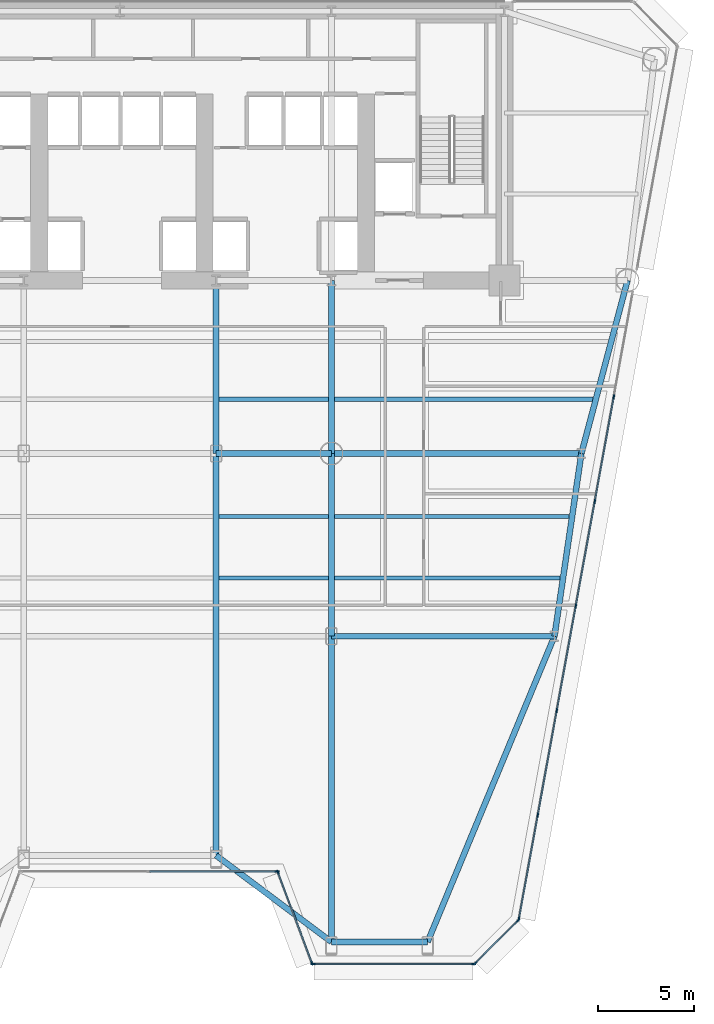
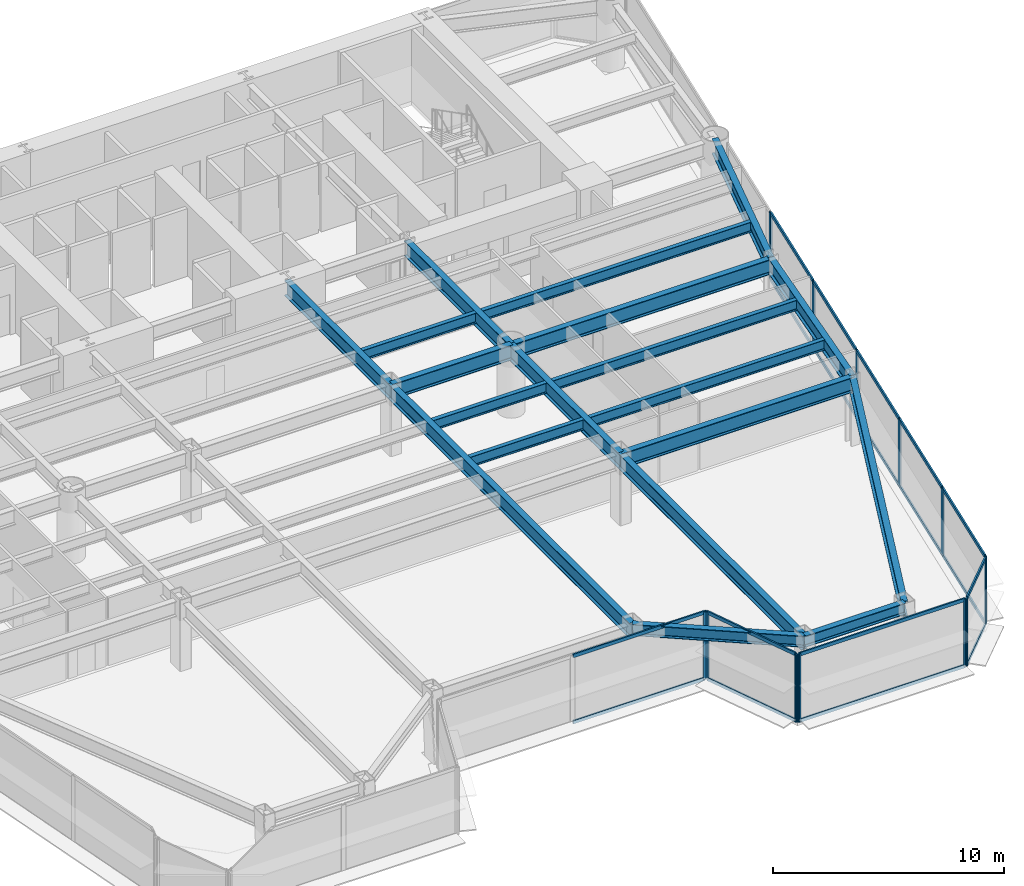
# One storey, part 4 of 14: 31 members, 19 beams, 5 elements without a shape of their own.
"""IFC4 building model written with IfcOpenShell, lengths in metres."""

from ifc_helpers import new_model, si_unit, direction, frame, origin, origin_2d, place, context, subcontext, project, spatial, rectangle, i_section, extrude, source, transform, mapped, material, layer, layer_set, material_profile, profile_set, type_object, element, aggregate, save


model = new_model("IFC4")

# Units and contexts
model_context = context("Model", 3, precision=1e-05, world=origin(), true_north=direction((0.0, 1.0)))
body_context = subcontext(model_context, "Body", "Model", "MODEL_VIEW")
ifc_project = project(units=[si_unit("LENGTHUNIT", "METRE"), si_unit("AREAUNIT", "SQUARE_METRE"), si_unit("VOLUMEUNIT", "CUBIC_METRE"), si_unit("PLANEANGLEUNIT", "RADIAN"), si_unit("MASSUNIT", "GRAM", prefix="KILO")], contexts=[model_context])

# Site, building, storey
site_placement = place(None, origin())
site = spatial("IfcSite", under=ifc_project, at=site_placement, CompositionType="ELEMENT")
building_placement = place(site_placement, origin())
building = spatial("IfcBuilding", under=site, at=building_placement, Name="Vaeldorn Concourse Tower", CompositionType="ELEMENT")
storey_placement = place(building_placement, frame((0.0, 0.0, 34.0)))
storey = spatial("IfcBuildingStorey", under=building, at=storey_placement, Name="L08", CompositionType="ELEMENT", Elevation=34.0)

# Beams
ifc_material_1 = material(Name="Steel S355", Category="steel")
ifc_material_profile_1 = material_profile(ifc_material_1, i_section(OverallWidth=0.300048828125, OverallDepth=0.800048828125, WebThickness=0.017578125, FlangeThickness=0.032958984375, FilletRadius=0.030029296875, at=origin_2d()), Name="HEB 800")
ifc_profile_set_1 = profile_set([ifc_material_profile_1], Name="Steel S355")
beam_type_1 = type_object("IfcBeamType", Name="BM-PG-HEB800", PredefinedType="BEAM", material=ifc_profile_set_1)
shared_shape_1 = source(origin(), body_context, "Body", "SweptSolid", [
    extrude(i_section(OverallWidth=0.300048828125, OverallDepth=0.800048828125, WebThickness=0.017578125, FlangeThickness=0.032958984375, FilletRadius=0.030029296875, at=origin_2d()), origin(), (0.0, 0.0, 1.0), 6.0),
])
beam_1_placement = place(storey_placement, frame((39.0, 27.5, 3.179931640625), z_axis=(1.0, 0.0, 0.0), x_axis=(0.0, 1.0, 0.0)))
element("IfcBeam", 1, at=beam_1_placement, inside=storey, type_object=beam_type_1, Name="Beam BM-L08-C-TW3-C-TW4", PredefinedType="BEAM", context=body_context, shape_type="MappedRepresentation", body=[
    mapped(shared_shape_1, transform((0.0, 0.0, 0.0), scale=1.0)),
])
shared_shape_2 = source(origin(), body_context, "Body", "SweptSolid", [
    extrude(i_section(OverallWidth=0.300048828125, OverallDepth=0.800048828125, WebThickness=0.017578125, FlangeThickness=0.032958984375, FilletRadius=0.030029296875, at=origin_2d()), origin(), (0.0, 0.0, 1.0), 9.0),
])
for number, where, z_axis, x_axis, name in (
    (2, (39.0, 27.5, 3.179931640625), (0.0, 1.0, 0.0), (-1.0, 0.0, 0.0), "Beam BM-L08-C-TW3-C-FC4"),
    (3, (45.0, 27.5, 3.179931640625), (0.0, 1.0, 0.0), (-1.0, 0.0, 0.0), "Beam BM-L08-C-TW4-C-FC5"),
):
    element("IfcBeam", number, at=place(storey_placement, frame(where, z_axis=z_axis, x_axis=x_axis)), inside=storey, type_object=beam_type_1, Name=name, PredefinedType="BEAM", context=body_context, shape_type="MappedRepresentation", body=[
        mapped(shared_shape_2, transform((0.0, 0.0, 0.0), scale=1.0)),
    ])
shared_shape_3 = source(origin(), body_context, "Body", "SweptSolid", [
    extrude(i_section(OverallWidth=0.300048828125, OverallDepth=0.800048828125, WebThickness=0.017578125, FlangeThickness=0.032958984375, FilletRadius=0.030029296875, at=origin_2d()), origin(), (0.0, 0.0, 1.0), 9.314453125),
])
beam_2_placement = place(storey_placement, frame((60.39990234375, 36.5, 3.179931640625), z_axis=(-0.257652862255, -0.966237549763, 0.0), x_axis=(0.966237549763, -0.257652862255, 0.0)))
element("IfcBeam", 4, at=beam_2_placement, inside=storey, type_object=beam_type_1, Name="Beam BM-L08-C-NE2-C-FLE1", PredefinedType="BEAM", context=body_context, shape_type="MappedRepresentation", body=[
    mapped(shared_shape_3, transform((0.0, 0.0, 0.0), scale=1.0)),
])
shared_shape_4 = source(origin(), body_context, "Body", "SweptSolid", [
    extrude(i_section(OverallWidth=0.300048828125, OverallDepth=0.800048828125, WebThickness=0.017578125, FlangeThickness=0.032958984375, FilletRadius=0.030029296875, at=origin_2d()), origin(), (0.0, 0.0, 1.0), 13.0),
])
beam_3_placement = place(storey_placement, frame((45.0, 27.5, 3.179931640625), z_axis=(1.0, 0.0, 0.0), x_axis=(0.0, 1.0, 0.0)))
element("IfcBeam", 5, at=beam_3_placement, inside=storey, type_object=beam_type_1, Name="Beam BM-L08-C-TW4-C-FLE1", PredefinedType="BEAM", context=body_context, shape_type="MappedRepresentation", body=[
    mapped(shared_shape_4, transform((0.0, 0.0, 0.0), scale=1.0)),
])
ifc_material_profile_2 = material_profile(ifc_material_1, i_section(OverallWidth=0.300048828125, OverallDepth=0.60009765625, WebThickness=0.015380859375, FlangeThickness=0.030029296875, FilletRadius=0.027099609375, at=origin_2d()), Name="HEB 600")
ifc_profile_set_2 = profile_set([ifc_material_profile_2], Name="Steel S355")
beam_type_2 = type_object("IfcBeamType", Name="BM-SP-HEB600", PredefinedType="SPANDREL", material=ifc_profile_set_2)
shared_shape_5 = source(origin(), body_context, "Body", "SweptSolid", [
    extrude(i_section(OverallWidth=0.300048828125, OverallDepth=0.60009765625, WebThickness=0.015380859375, FlangeThickness=0.030029296875, FilletRadius=0.027099609375, at=origin_2d()), origin(), (0.0, 0.0, 1.0), 5.0),
])
beam_4_placement = place(storey_placement, frame((45.0, 2.095458984375, 3.280029296875), z_axis=(1.0, 0.0, 0.0), x_axis=(0.0, 1.0, 0.0)))
element("IfcBeam", 6, at=beam_4_placement, inside=storey, type_object=beam_type_2, Name="Beam BM-L08-C-SF5-C-SF6", PredefinedType="SPANDREL", context=body_context, shape_type="MappedRepresentation", body=[
    mapped(shared_shape_5, transform((0.0, 0.0, 0.0), scale=1.0)),
])
shared_shape_6 = source(origin(), body_context, "Body", "SweptSolid", [
    extrude(i_section(OverallWidth=0.300048828125, OverallDepth=0.60009765625, WebThickness=0.015380859375, FlangeThickness=0.030029296875, FilletRadius=0.027099609375, at=origin_2d()), origin(), (0.0, 0.0, 1.0), 7.5),
])
beam_5_placement = place(storey_placement, frame((39.0, 6.595458984375, 3.280029296875), z_axis=(0.8, -0.6, 0.0), x_axis=(0.6, 0.8, 0.0)))
element("IfcBeam", 7, at=beam_5_placement, inside=storey, type_object=beam_type_2, Name="Beam BM-L08-C-SF4-C-SF5", PredefinedType="SPANDREL", context=body_context, shape_type="MappedRepresentation", body=[
    mapped(shared_shape_6, transform((0.0, 0.0, 0.0), scale=1.0)),
])
shared_shape_7 = source(origin(), body_context, "Body", "SweptSolid", [
    extrude(i_section(OverallWidth=0.300048828125, OverallDepth=0.800048828125, WebThickness=0.017578125, FlangeThickness=0.032958984375, FilletRadius=0.030029296875, at=origin_2d()), origin(), (0.0, 0.0, 1.0), 9.6025390625),
])
beam_6_placement = place(storey_placement, frame((58.0, 27.5, 3.179931640625), z_axis=(-0.145783835977, -0.989316467652, 0.0), x_axis=(0.989316467652, -0.145783835977, 0.0)))
element("IfcBeam", 8, at=beam_6_placement, inside=storey, type_object=beam_type_1, Name="Beam BM-L08-C-FLE1-C-FLE2", PredefinedType="BEAM", context=body_context, shape_type="MappedRepresentation", body=[
    mapped(shared_shape_7, transform((0.0, 0.0, 0.0), scale=1.0)),
])
shared_shape_8 = source(origin(), body_context, "Body", "SweptSolid", [
    extrude(i_section(OverallWidth=0.300048828125, OverallDepth=0.800048828125, WebThickness=0.017578125, FlangeThickness=0.032958984375, FilletRadius=0.030029296875, at=origin_2d()), origin(), (0.0, 0.0, 1.0), 11.60009765625),
])
beam_7_placement = place(storey_placement, frame((45.0, 18.0, 3.179931640625), z_axis=(1.0, 0.0, 0.0), x_axis=(0.0, 1.0, 0.0)))
element("IfcBeam", 9, at=beam_7_placement, inside=storey, type_object=beam_type_1, Name="Beam BM-L08-C-TW6-C-FLE2", PredefinedType="BEAM", context=body_context, shape_type="MappedRepresentation", body=[
    mapped(shared_shape_8, transform((0.0, 0.0, 0.0), scale=1.0)),
])
shared_shape_9 = source(origin(), body_context, "Body", "SweptSolid", [
    extrude(i_section(OverallWidth=0.300048828125, OverallDepth=0.800048828125, WebThickness=0.017578125, FlangeThickness=0.032958984375, FilletRadius=0.030029296875, at=origin_2d()), origin(), (0.0, 0.0, 1.0), 9.5),
])
beam_8_placement = place(storey_placement, frame((45.0, 18.0, 3.179931640625), z_axis=(0.0, 1.0, 0.0), x_axis=(-1.0, 0.0, 0.0)))
element("IfcBeam", 10, at=beam_8_placement, inside=storey, type_object=beam_type_1, Name="Beam BM-L08-C-TW6-C-TW4", PredefinedType="BEAM", context=body_context, shape_type="MappedRepresentation", body=[
    mapped(shared_shape_9, transform((0.0, 0.0, 0.0), scale=1.0)),
])
ifc_material_profile_3 = material_profile(ifc_material_1, i_section(OverallWidth=0.2099609375, OverallDepth=0.550048828125, WebThickness=0.010986328125, FlangeThickness=0.01708984375, FilletRadius=0.02392578125, at=origin_2d()), Name="IPE 550")
ifc_profile_set_3 = profile_set([ifc_material_profile_3], Name="Steel S355")
beam_type_3 = type_object("IfcBeamType", Name="BM-JS-IPE550", PredefinedType="JOIST", material=ifc_profile_set_3)
shared_shape_10 = source(origin(), body_context, "Body", "SweptSolid", [
    extrude(i_section(OverallWidth=0.2099609375, OverallDepth=0.550048828125, WebThickness=0.010986328125, FlangeThickness=0.01708984375, FilletRadius=0.02392578125, at=origin_2d()), origin(), (0.0, 0.0, 1.0), 5.7001953125),
])
for number, where, z_axis, x_axis, name in (
    (11, (39.14990234375, 21.02001953125, 3.304931640625), (1.0, 0.0, 0.0), (0.0, 1.0, 0.0), "Beam JS-L08-E2-210"),
    (12, (39.14990234375, 24.219970703125, 3.304931640625), (1.0, 0.0, 0.0), (0.0, 1.0, 0.0), "Beam JS-L08-E2-242"),
    (13, (39.14990234375, 30.320068359375, 3.304931640625), (1.0, 0.0, 0.0), (0.0, 1.0, 0.0), "Beam JS-L08-E2-303"),
):
    element("IfcBeam", number, at=place(storey_placement, frame(where, z_axis=z_axis, x_axis=x_axis)), inside=storey, type_object=beam_type_3, Name=name, PredefinedType="JOIST", context=body_context, shape_type="MappedRepresentation", body=[
        mapped(shared_shape_10, transform((0.0, 0.0, 0.0), scale=1.0)),
    ])
shared_shape_11 = source(origin(), body_context, "Body", "SweptSolid", [
    extrude(i_section(OverallWidth=0.300048828125, OverallDepth=0.800048828125, WebThickness=0.017578125, FlangeThickness=0.032958984375, FilletRadius=0.030029296875, at=origin_2d()), origin(), (0.0, 0.0, 1.0), 17.2197265625),
])
beam_9_placement = place(storey_placement, frame((50.0, 2.095458984375, 3.179931640625), z_axis=(0.3832891314, 0.923628411078, 0.0), x_axis=(-0.923628411078, 0.3832891314, 0.0)))
element("IfcBeam", 14, at=beam_9_placement, inside=storey, type_object=beam_type_1, Name="Beam BM-L08-C-SF6-C-FLE2", PredefinedType="BEAM", context=body_context, shape_type="MappedRepresentation", body=[
    mapped(shared_shape_11, transform((0.0, 0.0, 0.0), scale=1.0)),
])
shared_shape_12 = source(origin(), body_context, "Body", "SweptSolid", [
    extrude(i_section(OverallWidth=0.300048828125, OverallDepth=0.800048828125, WebThickness=0.017578125, FlangeThickness=0.032958984375, FilletRadius=0.030029296875, at=origin_2d()), origin(), (0.0, 0.0, 1.0), 15.904541015625),
])
beam_10_placement = place(storey_placement, frame((45.0, 2.095458984375, 3.179931640625), z_axis=(0.0, 1.0, 0.0), x_axis=(-1.0, 0.0, 0.0)))
element("IfcBeam", 15, at=beam_10_placement, inside=storey, type_object=beam_type_1, Name="Beam BM-L08-C-SF5-C-TW6", PredefinedType="BEAM", context=body_context, shape_type="MappedRepresentation", body=[
    mapped(shared_shape_12, transform((0.0, 0.0, 0.0), scale=1.0)),
])
shared_shape_13 = source(origin(), body_context, "Body", "SweptSolid", [
    extrude(i_section(OverallWidth=0.300048828125, OverallDepth=0.800048828125, WebThickness=0.017578125, FlangeThickness=0.032958984375, FilletRadius=0.030029296875, at=origin_2d()), origin(), (0.0, 0.0, 1.0), 20.904541015625),
])
beam_11_placement = place(storey_placement, frame((39.0, 6.595458984375, 3.179931640625), z_axis=(0.0, 1.0, 0.0), x_axis=(-1.0, 0.0, 0.0)))
element("IfcBeam", 16, at=beam_11_placement, inside=storey, type_object=beam_type_1, Name="Beam BM-L08-C-SF4-C-TW3", PredefinedType="BEAM", context=body_context, shape_type="MappedRepresentation", body=[
    mapped(shared_shape_13, transform((0.0, 0.0, 0.0), scale=1.0)),
])
shared_shape_14 = source(origin(), body_context, "Body", "SweptSolid", [
    extrude(i_section(OverallWidth=0.2099609375, OverallDepth=0.550048828125, WebThickness=0.010986328125, FlangeThickness=0.01708984375, FilletRadius=0.02392578125, at=origin_2d()), origin(), (0.0, 0.0, 1.0), 11.7451171875),
])
beam_12_placement = place(storey_placement, frame((45.14990234375, 21.02001953125, 3.304931640625), z_axis=(1.0, 0.0, 0.0), x_axis=(0.0, 1.0, 0.0)))
element("IfcBeam", 17, at=beam_12_placement, inside=storey, type_object=beam_type_3, Name="Beam JS-L08-E1-210", PredefinedType="JOIST", context=body_context, shape_type="MappedRepresentation", body=[
    mapped(shared_shape_14, transform((0.0, 0.0, 0.0), scale=1.0)),
])
shared_shape_15 = source(origin(), body_context, "Body", "SweptSolid", [
    extrude(i_section(OverallWidth=0.2099609375, OverallDepth=0.550048828125, WebThickness=0.010986328125, FlangeThickness=0.01708984375, FilletRadius=0.02392578125, at=origin_2d()), origin(), (0.0, 0.0, 1.0), 12.216796875),
])
beam_13_placement = place(storey_placement, frame((45.14990234375, 24.219970703125, 3.304931640625), z_axis=(1.0, 0.0, 0.0), x_axis=(0.0, 1.0, 0.0)))
element("IfcBeam", 18, at=beam_13_placement, inside=storey, type_object=beam_type_3, Name="Beam JS-L08-E1-242", PredefinedType="JOIST", context=body_context, shape_type="MappedRepresentation", body=[
    mapped(shared_shape_15, transform((0.0, 0.0, 0.0), scale=1.0)),
])
shared_shape_16 = source(origin(), body_context, "Body", "SweptSolid", [
    extrude(i_section(OverallWidth=0.2099609375, OverallDepth=0.550048828125, WebThickness=0.010986328125, FlangeThickness=0.01708984375, FilletRadius=0.02392578125, at=origin_2d()), origin(), (0.0, 0.0, 1.0), 13.4521484375),
])
beam_14_placement = place(storey_placement, frame((45.14990234375, 30.320068359375, 3.304931640625), z_axis=(1.0, 0.0, 0.0), x_axis=(0.0, 1.0, 0.0)))
element("IfcBeam", 19, at=beam_14_placement, inside=storey, type_object=beam_type_3, Name="Beam JS-L08-E1-303", PredefinedType="JOIST", context=body_context, shape_type="MappedRepresentation", body=[
    mapped(shared_shape_16, transform((0.0, 0.0, 0.0), scale=1.0)),
])

# Curtain wall, members
ifc_material_2 = material(Name="Anodised Bronze Aluminium", Category="aluminium")
ifc_layer = layer(ifc_material_2, 0.219970703125)
ifc_layer_set = layer_set([ifc_layer], Name="Anodised Bronze Aluminium")
curtain_wall_type = type_object("IfcCurtainWallType", Name="CW-SYS-01", PredefinedType="NOTDEFINED", material=ifc_layer_set)
curtain_wall_1_placement = place(storey_placement, origin())
curtain_wall_1 = element("IfcCurtainWall", 20, at=curtain_wall_1_placement, inside=storey, type_object=curtain_wall_type, Name="Unitised Curtain Wall CW-L08-E04-1", PredefinedType="NOTDEFINED")
ifc_material_profile_4 = material_profile(ifc_material_2, rectangle(XDim=0.074951171875, YDim=0.179931640625, at=origin_2d()), Name="CWT 75x180")
ifc_profile_set_4 = profile_set([ifc_material_profile_4], Name="Anodised Bronze Aluminium")
member_type_1 = type_object("IfcMemberType", Name="CWT-BRONZE-180", PredefinedType="USERDEFINED", material=ifc_profile_set_4)
shared_shape_17 = source(origin(), body_context, "Body", "SweptSolid", [
    extrude(rectangle(XDim=0.074951171875, YDim=0.179931640625, at=origin_2d()), origin(), (0.0, 0.0, 1.0), 4.976318359375),
])
member_1_placement = place(storey_placement, frame((42.226318359375, 5.68603515625, 0.03759765625), z_axis=(0.351128818119, -0.936327161352, 0.0), x_axis=(0.936327161352, 0.351128818119, 0.0)))
member_1 = element("IfcMember", 21, at=member_1_placement, type_object=member_type_1, Name="CW-01 transom 1.1", ObjectType="TRANSOM", PredefinedType="USERDEFINED", context=body_context, shape_type="MappedRepresentation", body=[
    mapped(shared_shape_17, transform((0.0, 0.0, 0.0), scale=1.0)),
])
member_2_placement = place(storey_placement, frame((42.226318359375, 5.68603515625, 3.54248046875), z_axis=(0.351128818119, -0.936327161352, 0.0), x_axis=(0.936327161352, 0.351128818119, 0.0)))
member_2 = element("IfcMember", 22, at=member_2_placement, type_object=member_type_1, Name="CW-01 transom 1.2", ObjectType="TRANSOM", PredefinedType="USERDEFINED", context=body_context, shape_type="MappedRepresentation", body=[
    mapped(shared_shape_17, transform((0.0, 0.0, 0.0), scale=1.0)),
])

curtain_wall_2_placement = place(storey_placement, origin())
curtain_wall_2 = element("IfcCurtainWall", 23, at=curtain_wall_2_placement, inside=storey, type_object=curtain_wall_type, Name="Unitised Curtain Wall CW-L08-E03-1", PredefinedType="NOTDEFINED")
shared_shape_18 = source(origin(), body_context, "Body", "SweptSolid", [
    extrude(rectangle(XDim=0.074951171875, YDim=0.179931640625, at=origin_2d()), origin(), (0.0, 0.0, 1.0), 6.58740234375),
])
member_3_placement = place(storey_placement, frame((35.53759765625, 5.75634765625, 0.03759765625), z_axis=(1.0, 0.0, 0.0), x_axis=(0.0, 1.0, 0.0)))
member_3 = element("IfcMember", 24, at=member_3_placement, type_object=member_type_1, Name="CW-01 transom 2.1", ObjectType="TRANSOM", PredefinedType="USERDEFINED", context=body_context, shape_type="MappedRepresentation", body=[
    mapped(shared_shape_18, transform((0.0, 0.0, 0.0), scale=1.0)),
])
member_4_placement = place(storey_placement, frame((35.53759765625, 5.75634765625, 3.54248046875), z_axis=(1.0, 0.0, 0.0), x_axis=(0.0, 1.0, 0.0)))
member_4 = element("IfcMember", 25, at=member_4_placement, type_object=member_type_1, Name="CW-01 transom 2.2", ObjectType="TRANSOM", PredefinedType="USERDEFINED", context=body_context, shape_type="MappedRepresentation", body=[
    mapped(shared_shape_18, transform((0.0, 0.0, 0.0), scale=1.0)),
])

curtain_wall_3_placement = place(storey_placement, origin())
curtain_wall_3 = element("IfcCurtainWall", 26, at=curtain_wall_3_placement, inside=storey, type_object=curtain_wall_type, Name="Unitised Curtain Wall CW-L08-E06-1", PredefinedType="NOTDEFINED")
shared_shape_19 = source(origin(), body_context, "Body", "SweptSolid", [
    extrude(rectangle(XDim=0.074951171875, YDim=0.179931640625, at=origin_2d()), origin(), (0.0, 0.0, 1.0), 3.102783203125),
])
member_5_placement = place(storey_placement, frame((52.495849609375, 1.00927734375, 0.03759765625), z_axis=(0.707067437368, 0.707146122816, 0.0), x_axis=(-0.707146122816, 0.707067437368, 0.0)))
member_5 = element("IfcMember", 27, at=member_5_placement, type_object=member_type_1, Name="CW-01 transom 1.1", ObjectType="TRANSOM", PredefinedType="USERDEFINED", context=body_context, shape_type="MappedRepresentation", body=[
    mapped(shared_shape_19, transform((0.0, 0.0, 0.0), scale=1.0)),
])
member_6_placement = place(storey_placement, frame((52.495849609375, 1.00927734375, 3.54248046875), z_axis=(0.707067437368, 0.707146122816, 0.0), x_axis=(-0.707146122816, 0.707067437368, 0.0)))
member_6 = element("IfcMember", 28, at=member_6_placement, type_object=member_type_1, Name="CW-01 transom 1.2", ObjectType="TRANSOM", PredefinedType="USERDEFINED", context=body_context, shape_type="MappedRepresentation", body=[
    mapped(shared_shape_19, transform((0.0, 0.0, 0.0), scale=1.0)),
])

# Member
ifc_material_profile_5 = material_profile(ifc_material_2, rectangle(XDim=0.074951171875, YDim=0.219970703125, at=origin_2d()), Name="CWM 75x220")
ifc_profile_set_5 = profile_set([ifc_material_profile_5], Name="Anodised Bronze Aluminium")
member_type_2 = type_object("IfcMemberType", Name="CWM-BRONZE-220", PredefinedType="MULLION", material=ifc_profile_set_5)
shared_shape_20 = source(origin(), body_context, "Body", "SweptSolid", [
    extrude(rectangle(XDim=0.074951171875, YDim=0.219970703125, at=origin_2d()), origin(), (0.0, 0.0, 1.0), 3.580078125),
])
member_7_placement = place(storey_placement, frame((42.16259765625, 5.75634765625, 0.0), z_axis=(0.0, 0.0, 1.0), x_axis=(0.0, 1.0, 0.0)))
member_7 = element("IfcMember", 29, at=member_7_placement, type_object=member_type_2, Name="CW-01 mullion 3", PredefinedType="MULLION", context=body_context, shape_type="MappedRepresentation", body=[
    mapped(shared_shape_20, transform((0.0, 0.0, 0.0), scale=1.0)),
])

aggregate(curtain_wall_2, [member_7, member_3, member_4])

member_8_placement = place(storey_placement, frame((42.213134765625, 5.72119140625, 0.0), z_axis=(0.0, 0.0, 1.0), x_axis=(0.936329177566, 0.351123441595, 0.0)))
member_8 = element("IfcMember", 30, at=member_8_placement, type_object=member_type_2, Name="CW-01 mullion 1", PredefinedType="MULLION", context=body_context, shape_type="MappedRepresentation", body=[
    mapped(shared_shape_20, transform((0.0, 0.0, 0.0), scale=1.0)),
])

member_9_placement = place(storey_placement, frame((43.98681640625, 0.991455078125, 0.0), z_axis=(0.0, 0.0, 1.0), x_axis=(0.936329177566, 0.351123441595, 0.0)))
member_9 = element("IfcMember", 31, at=member_9_placement, type_object=member_type_2, Name="CW-01 mullion 2", PredefinedType="MULLION", context=body_context, shape_type="MappedRepresentation", body=[
    mapped(shared_shape_20, transform((0.0, 0.0, 0.0), scale=1.0)),
])

aggregate(curtain_wall_1, [member_8, member_9, member_1, member_2])

# Curtain wall, members
curtain_wall_4_placement = place(storey_placement, origin())
curtain_wall_4 = element("IfcCurtainWall", 32, at=curtain_wall_4_placement, inside=storey, type_object=curtain_wall_type, Name="Unitised Curtain Wall CW-L08-E05-1", PredefinedType="NOTDEFINED")
member_10_placement = place(storey_placement, frame((44.03759765625, 0.956298828125, 0.0), z_axis=(0.0, 0.0, 1.0), x_axis=(0.0, 1.0, 0.0)))
member_10 = element("IfcMember", 33, at=member_10_placement, type_object=member_type_2, Name="CW-01 mullion 1", PredefinedType="MULLION", context=body_context, shape_type="MappedRepresentation", body=[
    mapped(shared_shape_20, transform((0.0, 0.0, 0.0), scale=1.0)),
])
member_11_placement = place(storey_placement, frame((52.4052734375, 0.956298828125, 0.0), z_axis=(0.0, 0.0, 1.0), x_axis=(0.0, 1.0, 0.0)))
member_11 = element("IfcMember", 34, at=member_11_placement, type_object=member_type_2, Name="CW-01 mullion 2", PredefinedType="MULLION", context=body_context, shape_type="MappedRepresentation", body=[
    mapped(shared_shape_20, transform((0.0, 0.0, 0.0), scale=1.0)),
])

# Member
member_12_placement = place(storey_placement, frame((52.46923828125, 0.98291015625, 0.0), z_axis=(0.0, 0.0, 1.0), x_axis=(-0.707106781187, 0.707106781187, 0.0)))
member_12 = element("IfcMember", 35, at=member_12_placement, type_object=member_type_2, Name="CW-01 mullion 1", PredefinedType="MULLION", context=body_context, shape_type="MappedRepresentation", body=[
    mapped(shared_shape_20, transform((0.0, 0.0, 0.0), scale=1.0)),
])

member_13_placement = place(storey_placement, frame((54.71630859375, 3.229736328125, 0.0), z_axis=(0.0, 0.0, 1.0), x_axis=(-0.707106781187, 0.707106781187, 0.0)))
member_13 = element("IfcMember", 36, at=member_13_placement, type_object=member_type_2, Name="CW-01 mullion 2", PredefinedType="MULLION", context=body_context, shape_type="MappedRepresentation", body=[
    mapped(shared_shape_20, transform((0.0, 0.0, 0.0), scale=1.0)),
])

aggregate(curtain_wall_3, [member_12, member_13, member_5, member_6])

# Curtain wall, members
curtain_wall_5_placement = place(storey_placement, origin())
curtain_wall_5 = element("IfcCurtainWall", 37, at=curtain_wall_5_placement, inside=storey, type_object=curtain_wall_type, Name="Unitised Curtain Wall CW-L08-E07-1", PredefinedType="NOTDEFINED")
member_14_placement = place(storey_placement, frame((54.74951171875, 3.293212890625, 0.0), z_axis=(0.0, 0.0, 1.0), x_axis=(-0.983889929037, 0.17877529902, 0.0)))
member_14 = element("IfcMember", 38, at=member_14_placement, type_object=member_type_2, Name="CW-01 mullion 1", PredefinedType="MULLION", context=body_context, shape_type="MappedRepresentation", body=[
    mapped(shared_shape_20, transform((0.0, 0.0, 0.0), scale=1.0)),
])
member_15_placement = place(storey_placement, frame((55.730712890625, 8.693603515625, 0.0), z_axis=(0.0, 0.0, 1.0), x_axis=(-0.983889929037, 0.17877529902, 0.0)))
member_15 = element("IfcMember", 39, at=member_15_placement, type_object=member_type_2, Name="CW-01 mullion 2", PredefinedType="MULLION", context=body_context, shape_type="MappedRepresentation", body=[
    mapped(shared_shape_20, transform((0.0, 0.0, 0.0), scale=1.0)),
])
member_16_placement = place(storey_placement, frame((56.71875, 14.131103515625, 0.0), z_axis=(0.0, 0.0, 1.0), x_axis=(-0.983889929037, 0.17877529902, 0.0)))
member_16 = element("IfcMember", 40, at=member_16_placement, type_object=member_type_2, Name="CW-01 mullion 3", PredefinedType="MULLION", context=body_context, shape_type="MappedRepresentation", body=[
    mapped(shared_shape_20, transform((0.0, 0.0, 0.0), scale=1.0)),
])
member_17_placement = place(storey_placement, frame((57.706787109375, 19.568359375, 0.0), z_axis=(0.0, 0.0, 1.0), x_axis=(-0.983889929037, 0.17877529902, 0.0)))
member_17 = element("IfcMember", 41, at=member_17_placement, type_object=member_type_2, Name="CW-01 mullion 4", PredefinedType="MULLION", context=body_context, shape_type="MappedRepresentation", body=[
    mapped(shared_shape_20, transform((0.0, 0.0, 0.0), scale=1.0)),
])
member_18_placement = place(storey_placement, frame((58.69482421875, 25.005859375, 0.0), z_axis=(0.0, 0.0, 1.0), x_axis=(-0.983889929037, 0.17877529902, 0.0)))
member_18 = element("IfcMember", 42, at=member_18_placement, type_object=member_type_2, Name="CW-01 mullion 5", PredefinedType="MULLION", context=body_context, shape_type="MappedRepresentation", body=[
    mapped(shared_shape_20, transform((0.0, 0.0, 0.0), scale=1.0)),
])
member_19_placement = place(storey_placement, frame((59.6826171875, 30.443115234375, 0.0), z_axis=(0.0, 0.0, 1.0), x_axis=(-0.983889929037, 0.17877529902, 0.0)))
member_19 = element("IfcMember", 43, at=member_19_placement, type_object=member_type_2, Name="CW-01 mullion 6", PredefinedType="MULLION", context=body_context, shape_type="MappedRepresentation", body=[
    mapped(shared_shape_20, transform((0.0, 0.0, 0.0), scale=1.0)),
])

# Member
shared_shape_21 = source(origin(), body_context, "Body", "SweptSolid", [
    extrude(rectangle(XDim=0.074951171875, YDim=0.179931640625, at=origin_2d()), origin(), (0.0, 0.0, 1.0), 8.29296875),
])
member_20_placement = place(storey_placement, frame((44.074951171875, 0.956298828125, 0.03759765625), z_axis=(1.0, 0.0, 0.0), x_axis=(0.0, 1.0, 0.0)))
member_20 = element("IfcMember", 44, at=member_20_placement, type_object=member_type_1, Name="CW-01 transom 1.1", ObjectType="TRANSOM", PredefinedType="USERDEFINED", context=body_context, shape_type="MappedRepresentation", body=[
    mapped(shared_shape_21, transform((0.0, 0.0, 0.0), scale=1.0)),
])

member_21_placement = place(storey_placement, frame((44.074951171875, 0.956298828125, 3.54248046875), z_axis=(1.0, 0.0, 0.0), x_axis=(0.0, 1.0, 0.0)))
member_21 = element("IfcMember", 45, at=member_21_placement, type_object=member_type_1, Name="CW-01 transom 1.2", ObjectType="TRANSOM", PredefinedType="USERDEFINED", context=body_context, shape_type="MappedRepresentation", body=[
    mapped(shared_shape_21, transform((0.0, 0.0, 0.0), scale=1.0)),
])

aggregate(curtain_wall_4, [member_10, member_11, member_20, member_21])

shared_shape_22 = source(origin(), body_context, "Body", "SweptSolid", [
    extrude(rectangle(XDim=0.074951171875, YDim=0.179931640625, at=origin_2d()), origin(), (0.0, 0.0, 1.0), 5.413818359375),
])
member_22_placement = place(storey_placement, frame((54.756103515625, 3.330078125, 0.03759765625), z_axis=(0.178802101799, 0.983885058527, 0.0), x_axis=(-0.983885058527, 0.178802101799, 0.0)))
member_22 = element("IfcMember", 46, at=member_22_placement, type_object=member_type_1, Name="CW-01 transom 1.1", ObjectType="TRANSOM", PredefinedType="USERDEFINED", context=body_context, shape_type="MappedRepresentation", body=[
    mapped(shared_shape_22, transform((0.0, 0.0, 0.0), scale=1.0)),
])

member_23_placement = place(storey_placement, frame((54.756103515625, 3.330078125, 3.54248046875), z_axis=(0.178802101799, 0.983885058527, 0.0), x_axis=(-0.983885058527, 0.178802101799, 0.0)))
member_23 = element("IfcMember", 47, at=member_23_placement, type_object=member_type_1, Name="CW-01 transom 1.2", ObjectType="TRANSOM", PredefinedType="USERDEFINED", context=body_context, shape_type="MappedRepresentation", body=[
    mapped(shared_shape_22, transform((0.0, 0.0, 0.0), scale=1.0)),
])

shared_shape_23 = source(origin(), body_context, "Body", "SweptSolid", [
    extrude(rectangle(XDim=0.074951171875, YDim=0.179931640625, at=origin_2d()), origin(), (0.0, 0.0, 1.0), 5.45166015625),
])
member_24_placement = place(storey_placement, frame((55.737548828125, 8.73046875, 0.03759765625), z_axis=(0.178775090927, 0.983889966848, 0.0), x_axis=(-0.983889966848, 0.178775090927, 0.0)))
member_24 = element("IfcMember", 48, at=member_24_placement, type_object=member_type_1, Name="CW-01 transom 2.1", ObjectType="TRANSOM", PredefinedType="USERDEFINED", context=body_context, shape_type="MappedRepresentation", body=[
    mapped(shared_shape_23, transform((0.0, 0.0, 0.0), scale=1.0)),
])

member_25_placement = place(storey_placement, frame((55.737548828125, 8.73046875, 3.54248046875), z_axis=(0.178775090927, 0.983889966848, 0.0), x_axis=(-0.983889966848, 0.178775090927, 0.0)))
member_25 = element("IfcMember", 49, at=member_25_placement, type_object=member_type_1, Name="CW-01 transom 2.2", ObjectType="TRANSOM", PredefinedType="USERDEFINED", context=body_context, shape_type="MappedRepresentation", body=[
    mapped(shared_shape_23, transform((0.0, 0.0, 0.0), scale=1.0)),
])

shared_shape_24 = source(origin(), body_context, "Body", "SweptSolid", [
    extrude(rectangle(XDim=0.074951171875, YDim=0.179931640625, at=origin_2d()), origin(), (0.0, 0.0, 1.0), 5.451416015625),
])
member_26_placement = place(storey_placement, frame((56.7255859375, 14.16796875, 0.03759765625), z_axis=(0.178739614089, 0.983896412411, 0.0), x_axis=(-0.983896412411, 0.178739614089, 0.0)))
member_26 = element("IfcMember", 50, at=member_26_placement, type_object=member_type_1, Name="CW-01 transom 3.1", ObjectType="TRANSOM", PredefinedType="USERDEFINED", context=body_context, shape_type="MappedRepresentation", body=[
    mapped(shared_shape_24, transform((0.0, 0.0, 0.0), scale=1.0)),
])

member_27_placement = place(storey_placement, frame((56.7255859375, 14.16796875, 3.54248046875), z_axis=(0.178739614089, 0.983896412411, 0.0), x_axis=(-0.983896412411, 0.178739614089, 0.0)))
member_27 = element("IfcMember", 51, at=member_27_placement, type_object=member_type_1, Name="CW-01 transom 3.2", ObjectType="TRANSOM", PredefinedType="USERDEFINED", context=body_context, shape_type="MappedRepresentation", body=[
    mapped(shared_shape_24, transform((0.0, 0.0, 0.0), scale=1.0)),
])

member_28_placement = place(storey_placement, frame((57.71337890625, 19.605224609375, 0.03759765625), z_axis=(0.178782968434, 0.983888535454, 0.0), x_axis=(-0.983888535454, 0.178782968434, 0.0)))
member_28 = element("IfcMember", 52, at=member_28_placement, type_object=member_type_1, Name="CW-01 transom 4.1", ObjectType="TRANSOM", PredefinedType="USERDEFINED", context=body_context, shape_type="MappedRepresentation", body=[
    mapped(shared_shape_24, transform((0.0, 0.0, 0.0), scale=1.0)),
])

member_29_placement = place(storey_placement, frame((57.71337890625, 19.605224609375, 3.54248046875), z_axis=(0.178782968434, 0.983888535454, 0.0), x_axis=(-0.983888535454, 0.178782968434, 0.0)))
member_29 = element("IfcMember", 53, at=member_29_placement, type_object=member_type_1, Name="CW-01 transom 4.2", ObjectType="TRANSOM", PredefinedType="USERDEFINED", context=body_context, shape_type="MappedRepresentation", body=[
    mapped(shared_shape_24, transform((0.0, 0.0, 0.0), scale=1.0)),
])

member_30_placement = place(storey_placement, frame((58.701416015625, 25.042724609375, 0.03759765625), z_axis=(0.178782968434, 0.983888535454, 0.0), x_axis=(-0.983888535454, 0.178782968434, 0.0)))
member_30 = element("IfcMember", 54, at=member_30_placement, type_object=member_type_1, Name="CW-01 transom 5.1", ObjectType="TRANSOM", PredefinedType="USERDEFINED", context=body_context, shape_type="MappedRepresentation", body=[
    mapped(shared_shape_24, transform((0.0, 0.0, 0.0), scale=1.0)),
])

member_31_placement = place(storey_placement, frame((58.701416015625, 25.042724609375, 3.54248046875), z_axis=(0.178782968434, 0.983888535454, 0.0), x_axis=(-0.983888535454, 0.178782968434, 0.0)))
member_31 = element("IfcMember", 55, at=member_31_placement, type_object=member_type_1, Name="CW-01 transom 5.2", ObjectType="TRANSOM", PredefinedType="USERDEFINED", context=body_context, shape_type="MappedRepresentation", body=[
    mapped(shared_shape_24, transform((0.0, 0.0, 0.0), scale=1.0)),
])

aggregate(curtain_wall_5, [member_14, member_15, member_16, member_17, member_18, member_19, member_22, member_23, member_24, member_25, member_26, member_27, member_28, member_29, member_30, member_31])

save(model, "model.ifc")
